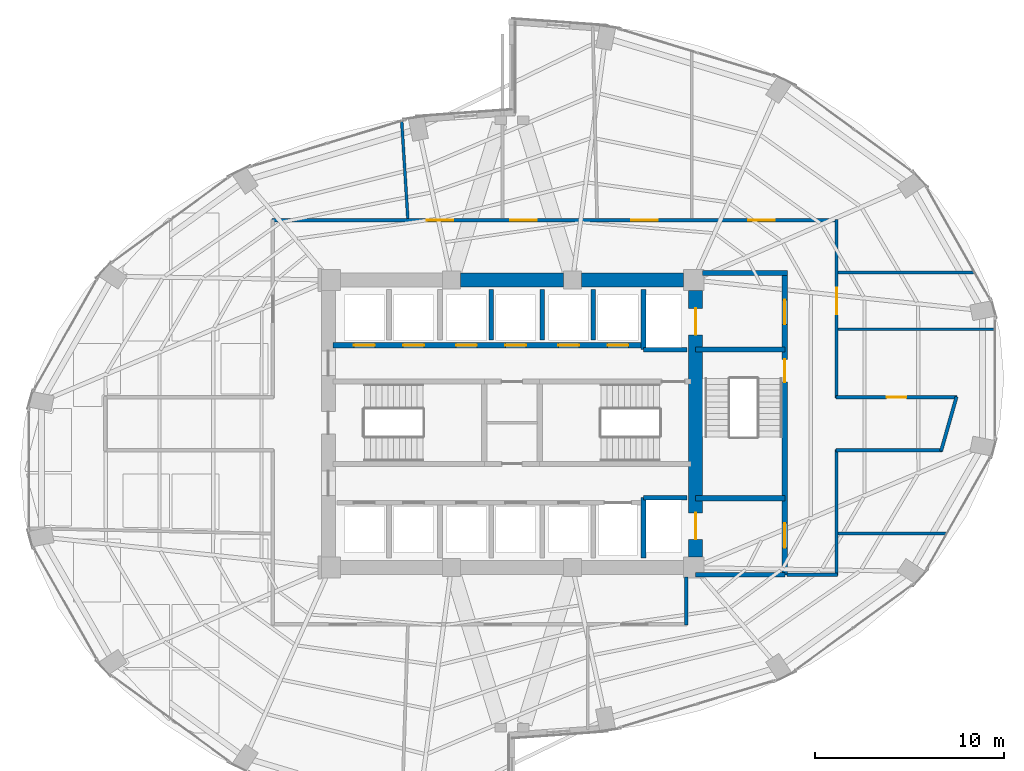
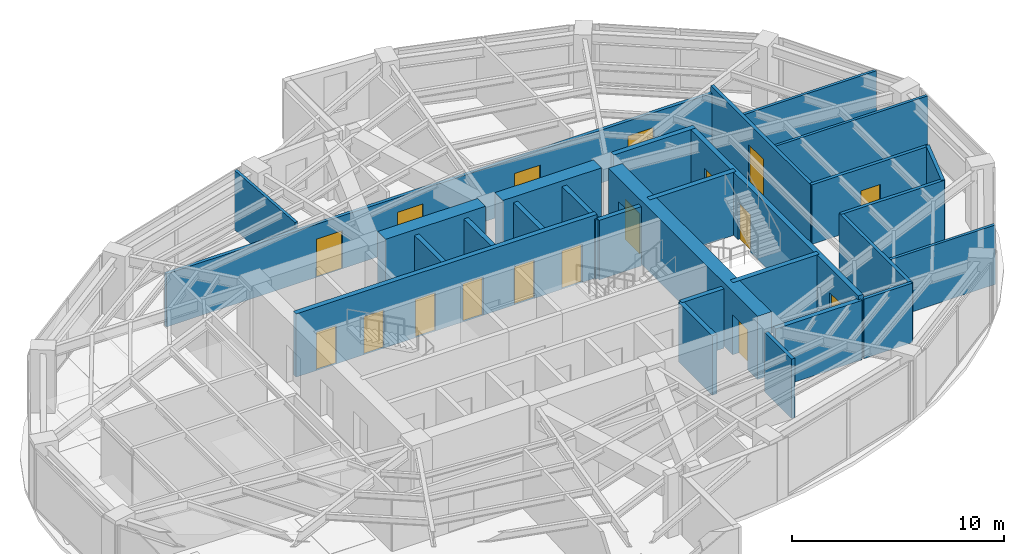
# One storey, part 20 of 23: 28 walls, 17 doors, 17 openings.
"""IFC4 building model written with IfcOpenShell, lengths in metres."""

from ifc_helpers import new_model, si_unit, direction, frame, frame_2d, origin, place, context, subcontext, project, spatial, rectangle, extrude, material, layer, layer_set, type_object, element, fill, save


model = new_model("IFC4")

# Units and contexts
model_context = context("Model", 3, precision=1e-05, world=origin(), true_north=direction((0.0, 1.0)))
body_context = subcontext(model_context, "Body", "Model", "MODEL_VIEW")
ifc_project = project(units=[si_unit("LENGTHUNIT", "METRE"), si_unit("AREAUNIT", "SQUARE_METRE"), si_unit("VOLUMEUNIT", "CUBIC_METRE"), si_unit("PLANEANGLEUNIT", "RADIAN"), si_unit("MASSUNIT", "GRAM", prefix="KILO")], contexts=[model_context])

# Site, building, storey
site_placement = place(None, origin())
site = spatial("IfcSite", under=ifc_project, at=site_placement, CompositionType="ELEMENT")
building_placement = place(site_placement, origin())
building = spatial("IfcBuilding", under=site, at=building_placement, Name="Lazwardi Medical Tower", CompositionType="ELEMENT")
storey_placement = place(building_placement, frame((0.0, 0.0, 107.280029296875)))
storey = spatial("IfcBuildingStorey", under=building, at=storey_placement, Name="L27", CompositionType="ELEMENT", Elevation=107.280029296875)

# Wall, openings, doors
ifc_material_1 = material(Name="Fire-rated gypsum board on steel stud", Category="steel")
ifc_layer_1 = layer(ifc_material_1, 0.179931640625)
ifc_layer_set_1 = layer_set([ifc_layer_1], Name="Fire-rated gypsum board on steel stud")
wall_type_1 = type_object("IfcWallType", Name="WL-COR-180", PredefinedType="PARTITIONING", material=ifc_layer_set_1)
wall_1_placement = place(storey_placement, frame((23.31005859375, 38.75, 0.0), z_axis=(0.0, 0.0, 1.0), x_axis=(1.0, 0.0, 0.0)))
wall_1 = element("IfcWall", 1, at=wall_1_placement, inside=storey, type_object=wall_type_1, Name="L27 Corridor partition 4", PredefinedType="PARTITIONING", context=body_context, shape_type="SweptSolid", body=[
    extrude(rectangle(XDim=29.8798828125, YDim=0.179931640625, at=frame_2d((14.93994140625, 0.0))), origin(), (0.0, 0.0, 1.0), 3.052978515625),
])
opening_1_placement = place(wall_1_placement, frame((25.176025390625, 0.0, 0.0)))
opening_1 = element("IfcOpeningElement", 2, at=opening_1_placement, cuts=wall_1, Name="Opening D-L27-012", PredefinedType="OPENING", context=body_context, shape_type="SweptSolid", body=[
    extrude(rectangle(XDim=1.39990234375, YDim=2.199951171875, at=frame_2d((0.699951171875, 1.10009765625))), frame((0.0, 0.099853515625, 0.0), z_axis=(0.0, -1.0, 0.0), x_axis=(1.0, 0.0, 0.0)), (0.0, 0.0, 1.0), 0.199951171875),
])
opening_2_placement = place(wall_1_placement, frame((18.989013671875, 0.0, 0.0)))
opening_2 = element("IfcOpeningElement", 3, at=opening_2_placement, cuts=wall_1, Name="Opening D-L27-013", PredefinedType="OPENING", context=body_context, shape_type="SweptSolid", body=[
    extrude(rectangle(XDim=1.39990234375, YDim=2.199951171875, at=frame_2d((0.699951171875, 1.10009765625))), frame((0.0, 0.099853515625, 0.0), z_axis=(0.0, -1.0, 0.0), x_axis=(1.0, 0.0, 0.0)), (0.0, 0.0, 1.0), 0.199951171875),
])
opening_3_placement = place(wall_1_placement, frame((12.589111328125, 0.0, 0.0)))
opening_3 = element("IfcOpeningElement", 4, at=opening_3_placement, cuts=wall_1, Name="Opening D-L27-014", PredefinedType="OPENING", context=body_context, shape_type="SweptSolid", body=[
    extrude(rectangle(XDim=1.39990234375, YDim=2.199951171875, at=frame_2d((0.699951171875, 1.10009765625))), frame((0.0, 0.099853515625, 0.0), z_axis=(0.0, -1.0, 0.0), x_axis=(1.0, 0.0, 0.0)), (0.0, 0.0, 1.0), 0.199951171875),
])
opening_4_placement = place(wall_1_placement, frame((8.1875, 0.0, 0.0)))
opening_4 = element("IfcOpeningElement", 5, at=opening_4_placement, cuts=wall_1, Name="Opening D-L27-015", PredefinedType="OPENING", context=body_context, shape_type="SweptSolid", body=[
    extrude(rectangle(XDim=1.39990234375, YDim=2.199951171875, at=frame_2d((0.699951171875, 1.10009765625))), frame((0.0, 0.099853515625, 0.0), z_axis=(0.0, -1.0, 0.0), x_axis=(1.0, 0.0, 0.0)), (0.0, 0.0, 1.0), 0.199951171875),
])
ifc_material_2 = material(Name="Anti-microbial laminate hospital leaf")
door_type_1 = type_object("IfcDoorType", Name="DR-BED-1400", OperationType="NOTDEFINED", PredefinedType="DOOR", material=ifc_material_2)
door_1_placement = place(opening_1_placement, origin())
door_1 = element("IfcDoor", 6, at=door_1_placement, inside=storey, type_object=door_type_1, Name="L27 Patient Day Lounge Door 06", OperationType="SINGLE_SWING_LEFT", OverallHeight=2.199951171875, OverallWidth=1.39990234375, PredefinedType="DOOR", context=body_context, shape_type="SweptSolid", body=[
    extrude(rectangle(XDim=1.39990234375, YDim=2.199951171875, at=frame_2d((0.699951171875, 1.10009765625))), frame((0.0, 0.02490234375, 0.0), z_axis=(0.0, -1.0, 0.0), x_axis=(1.0, 0.0, 0.0)), (0.0, 0.0, 1.0), 0.050048828125),
])
fill(opening_1, door_1)
door_2_placement = place(opening_2_placement, origin())
door_2 = element("IfcDoor", 7, at=door_2_placement, inside=storey, type_object=door_type_1, Name="L27 Patient Day Lounge Door 07", OperationType="SINGLE_SWING_RIGHT", OverallHeight=2.199951171875, OverallWidth=1.39990234375, PredefinedType="DOOR", context=body_context, shape_type="SweptSolid", body=[
    extrude(rectangle(XDim=1.39990234375, YDim=2.199951171875, at=frame_2d((0.699951171875, 1.10009765625))), frame((0.0, 0.02490234375, 0.0), z_axis=(0.0, -1.0, 0.0), x_axis=(1.0, 0.0, 0.0)), (0.0, 0.0, 1.0), 0.050048828125),
])
fill(opening_2, door_2)
door_3_placement = place(opening_3_placement, origin())
door_3 = element("IfcDoor", 8, at=door_3_placement, inside=storey, type_object=door_type_1, Name="L27 Patient Day Lounge Door 08", OperationType="SINGLE_SWING_LEFT", OverallHeight=2.199951171875, OverallWidth=1.39990234375, PredefinedType="DOOR", context=body_context, shape_type="SweptSolid", body=[
    extrude(rectangle(XDim=1.39990234375, YDim=2.199951171875, at=frame_2d((0.699951171875, 1.10009765625))), frame((0.0, 0.02490234375, 0.0), z_axis=(0.0, -1.0, 0.0), x_axis=(1.0, 0.0, 0.0)), (0.0, 0.0, 1.0), 0.050048828125),
])
fill(opening_3, door_3)
door_4_placement = place(opening_4_placement, origin())
door_4 = element("IfcDoor", 9, at=door_4_placement, inside=storey, type_object=door_type_1, Name="L27 Patient Day Lounge Door 09", OperationType="SINGLE_SWING_RIGHT", OverallHeight=2.199951171875, OverallWidth=1.39990234375, PredefinedType="DOOR", context=body_context, shape_type="SweptSolid", body=[
    extrude(rectangle(XDim=1.39990234375, YDim=2.199951171875, at=frame_2d((0.699951171875, 1.10009765625))), frame((0.0, 0.02490234375, 0.0), z_axis=(0.0, -1.0, 0.0), x_axis=(1.0, 0.0, 0.0)), (0.0, 0.0, 1.0), 0.050048828125),
])
fill(opening_4, door_4)

# Wall, opening, door
wall_2_placement = place(storey_placement, frame((53.14990234375, 38.7900390625, 0.0), z_axis=(0.0, 0.0, 1.0), x_axis=(0.0, -1.0, 0.0)))
wall_2 = element("IfcWall", 10, at=wall_2_placement, inside=storey, type_object=wall_type_1, Name="L27 Corridor partition 5", PredefinedType="PARTITIONING", context=body_context, shape_type="SweptSolid", body=[
    extrude(rectangle(XDim=9.429931640625, YDim=0.179931640625, at=frame_2d((4.71484375, 0.0))), origin(), (0.0, 0.0, 1.0), 3.427978515625),
])
opening_5_placement = place(wall_2_placement, frame((3.590087890625, 0.0, 0.0)))
opening_5 = element("IfcOpeningElement", 11, at=opening_5_placement, cuts=wall_2, Name="Opening D-L27-011", PredefinedType="OPENING", context=body_context, shape_type="SweptSolid", body=[
    extrude(rectangle(XDim=1.39990234375, YDim=2.199951171875, at=frame_2d((0.699951171875, 1.10009765625))), frame((0.0, 0.099853515625, 0.0), z_axis=(0.0, -1.0, 0.0), x_axis=(1.0, 0.0, 0.0)), (0.0, 0.0, 1.0), 0.199951171875),
])
door_5_placement = place(opening_5_placement, origin())
door_5 = element("IfcDoor", 12, at=door_5_placement, inside=storey, type_object=door_type_1, Name="L27 Patient Day Lounge Door 05", OperationType="SINGLE_SWING_RIGHT", OverallHeight=2.199951171875, OverallWidth=1.39990234375, PredefinedType="DOOR", context=body_context, shape_type="SweptSolid", body=[
    extrude(rectangle(XDim=1.39990234375, YDim=2.199951171875, at=frame_2d((0.699951171875, 1.10009765625))), frame((0.0, 0.02490234375, 0.0), z_axis=(0.0, -1.0, 0.0), x_axis=(1.0, 0.0, 0.0)), (0.0, 0.0, 1.0), 0.050048828125),
])
fill(opening_5, door_5)

wall_3_placement = place(storey_placement, frame((53.110107421875, 29.39990234375, 0.0), z_axis=(0.0, 0.0, 1.0), x_axis=(1.0, 0.0, 0.0)))
wall_3 = element("IfcWall", 13, at=wall_3_placement, inside=storey, type_object=wall_type_1, Name="L27 Corridor partition 6", PredefinedType="PARTITIONING", context=body_context, shape_type="SweptSolid", body=[
    extrude(rectangle(XDim=6.41259765625, YDim=0.179931640625, at=frame_2d((3.206298828125, 0.0))), origin(), (0.0, 0.0, 1.0), 3.427978515625),
])
opening_6_placement = place(wall_3_placement, frame((2.681396484375, 0.0, 0.0)))
opening_6 = element("IfcOpeningElement", 14, at=opening_6_placement, cuts=wall_3, Name="Opening D-L27-010", PredefinedType="OPENING", context=body_context, shape_type="SweptSolid", body=[
    extrude(rectangle(XDim=1.050048828125, YDim=2.14990234375, at=frame_2d((0.52490234375, 1.074951171875))), frame((0.0, 0.099853515625, 0.0), z_axis=(0.0, -1.0, 0.0), x_axis=(1.0, 0.0, 0.0)), (0.0, 0.0, 1.0), 0.199951171875),
])
door_type_2 = type_object("IfcDoorType", Name="DR-CLN-1050", OperationType="NOTDEFINED", PredefinedType="DOOR", material=ifc_material_2)
door_6_placement = place(opening_6_placement, origin())
door_6 = element("IfcDoor", 15, at=door_6_placement, inside=storey, type_object=door_type_2, Name="L27 Outpatient Clinic Door 04", OperationType="SINGLE_SWING_LEFT", OverallHeight=2.14990234375, OverallWidth=1.050048828125, PredefinedType="DOOR", context=body_context, shape_type="SweptSolid", body=[
    extrude(rectangle(XDim=1.050048828125, YDim=2.14990234375, at=frame_2d((0.52490234375, 1.074951171875))), frame((0.0, 0.02490234375, 0.0), z_axis=(0.0, -1.0, 0.0), x_axis=(1.0, 0.0, 0.0)), (0.0, 0.0, 1.0), 0.050048828125),
])
fill(opening_6, door_6)

# Walls
wall_4_placement = place(storey_placement, frame((59.49365234375, 29.4384765625, 0.0), z_axis=(0.0, 0.0, 1.0), x_axis=(-0.273222154729, -0.961950962453, 0.0)))
element("IfcWall", 16, at=wall_4_placement, inside=storey, type_object=wall_type_1, Name="L27 Corridor partition 7", PredefinedType="PARTITIONING", context=body_context, shape_type="SweptSolid", body=[
    extrude(rectangle(XDim=2.99072265625, YDim=0.179931640625, at=frame_2d((1.495361328125, 0.0))), origin(), (0.0, 0.0, 1.0), 3.427978515625),
])
wall_5_placement = place(storey_placement, frame((58.727294921875, 26.60009765625, 0.0), z_axis=(0.0, 0.0, 1.0), x_axis=(-1.0, 0.0, 0.0)))
element("IfcWall", 17, at=wall_5_placement, inside=storey, type_object=wall_type_1, Name="L27 Corridor partition 8", PredefinedType="PARTITIONING", context=body_context, shape_type="SweptSolid", body=[
    extrude(rectangle(XDim=5.6171875, YDim=0.179931640625, at=frame_2d((2.80859375, 0.0))), origin(), (0.0, 0.0, 1.0), 3.427978515625),
])
wall_6_placement = place(storey_placement, frame((53.14990234375, 26.639892578125, 0.0), z_axis=(0.0, 0.0, 1.0), x_axis=(0.0, -1.0, 0.0)))
element("IfcWall", 18, at=wall_6_placement, inside=storey, type_object=wall_type_1, Name="L27 Corridor partition 9", PredefinedType="PARTITIONING", context=body_context, shape_type="SweptSolid", body=[
    extrude(rectangle(XDim=6.659912109375, YDim=0.179931640625, at=frame_2d((3.330078125, 0.0))), origin(), (0.0, 0.0, 1.0), 3.427978515625),
])
wall_7_placement = place(storey_placement, frame((53.18994140625, 20.02001953125, 0.0), z_axis=(0.0, 0.0, 1.0), x_axis=(-1.0, 0.0, 0.0)))
element("IfcWall", 19, at=wall_7_placement, inside=storey, type_object=wall_type_1, Name="L27 Corridor partition 10", PredefinedType="PARTITIONING", context=body_context, shape_type="SweptSolid", body=[
    extrude(rectangle(XDim=2.64990234375, YDim=0.179931640625, at=frame_2d((1.324951171875, 0.0))), origin(), (0.0, 0.0, 1.0), 3.427978515625),
])
wall_8_placement = place(storey_placement, frame((45.199951171875, 19.909912109375, 0.0), z_axis=(0.0, 0.0, 1.0), x_axis=(0.0, -1.0, 0.0)))
element("IfcWall", 20, at=wall_8_placement, inside=storey, type_object=wall_type_1, Name="L27 Corridor partition 13", PredefinedType="PARTITIONING", context=body_context, shape_type="SweptSolid", body=[
    extrude(rectangle(XDim=2.5498046875, YDim=0.179931640625, at=frame_2d((1.27490234375, 0.0))), origin(), (0.0, 0.0, 1.0), 3.427978515625),
])

# Wall, openings, doors
ifc_material_3 = material(Name="Concrete C70/85", Category="concrete")
ifc_layer_2 = layer(ifc_material_3, 0.75)
ifc_layer_set_2 = layer_set([ifc_layer_2], Name="Concrete C70/85")
wall_type_2 = type_object("IfcWallType", Name="WL-CORE-750", PredefinedType="SHEAR", material=ifc_layer_set_2)
wall_9_placement = place(storey_placement, frame((45.699951171875, 20.949951171875, 0.0), z_axis=(0.0, 0.0, 1.0), x_axis=(0.0, 1.0, 0.0)))
wall_9 = element("IfcWall", 21, at=wall_9_placement, inside=storey, type_object=wall_type_2, Name="Core wall CW-S2 east L27", PredefinedType="SHEAR", context=body_context, shape_type="SweptSolid", body=[
    extrude(rectangle(XDim=14.10009765625, YDim=0.75, at=frame_2d((7.050048828125, 0.0))), origin(), (0.0, 0.0, 1.0), 3.64794921875),
])
opening_7_placement = place(wall_9_placement, frame((11.75, 0.0, 0.0)))
opening_7 = element("IfcOpeningElement", 22, at=opening_7_placement, cuts=wall_9, Name="Opening LD-L27-001", PredefinedType="OPENING", context=body_context, shape_type="SweptSolid", body=[
    extrude(rectangle(XDim=1.39990234375, YDim=2.300048828125, at=frame_2d((0.699951171875, 1.14990234375))), frame((0.0, 0.385009765625, 0.0), z_axis=(0.0, -1.0, 0.0), x_axis=(1.0, 0.0, 0.0)), (0.0, 0.0, 1.0), 0.77001953125),
])
opening_8_placement = place(wall_9_placement, frame((0.949951171875, 0.0, 0.0)))
opening_8 = element("IfcOpeningElement", 23, at=opening_8_placement, cuts=wall_9, Name="Opening LD-L27-002", PredefinedType="OPENING", context=body_context, shape_type="SweptSolid", body=[
    extrude(rectangle(XDim=1.39990234375, YDim=2.300048828125, at=frame_2d((0.699951171875, 1.14990234375))), frame((0.0, 0.385009765625, 0.0), z_axis=(0.0, -1.0, 0.0), x_axis=(1.0, 0.0, 0.0)), (0.0, 0.0, 1.0), 0.77001953125),
])
ifc_material_4 = material(Name="Brushed stainless steel bed-lift landing door", Category="steel")
door_type_3 = type_object("IfcDoorType", Name="DR-LFT-1400", OperationType="NOTDEFINED", PredefinedType="DOOR", material=ifc_material_4)
door_7_placement = place(opening_7_placement, origin())
door_7 = element("IfcDoor", 24, at=door_7_placement, inside=storey, type_object=door_type_3, Name="L27 Lift Landing Door FL-01", OperationType="SLIDING_TO_LEFT", OverallHeight=2.300048828125, OverallWidth=1.39990234375, PredefinedType="DOOR", context=body_context, shape_type="SweptSolid", body=[
    extrude(rectangle(XDim=1.39990234375, YDim=2.300048828125, at=frame_2d((0.699951171875, 1.14990234375))), frame((0.0, 0.02490234375, 0.0), z_axis=(0.0, -1.0, 0.0), x_axis=(1.0, 0.0, 0.0)), (0.0, 0.0, 1.0), 0.050048828125),
])
fill(opening_7, door_7)
door_8_placement = place(opening_8_placement, origin())
door_8 = element("IfcDoor", 25, at=door_8_placement, inside=storey, type_object=door_type_3, Name="L27 Lift Landing Door FL-02", OperationType="SLIDING_TO_LEFT", OverallHeight=2.300048828125, OverallWidth=1.39990234375, PredefinedType="DOOR", context=body_context, shape_type="SweptSolid", body=[
    extrude(rectangle(XDim=1.39990234375, YDim=2.300048828125, at=frame_2d((0.699951171875, 1.14990234375))), frame((0.0, 0.02490234375, 0.0), z_axis=(0.0, -1.0, 0.0), x_axis=(1.0, 0.0, 0.0)), (0.0, 0.0, 1.0), 0.050048828125),
])
fill(opening_8, door_8)

# Walls
wall_10_placement = place(storey_placement, frame((33.27490234375, 35.60009765625, 0.0), z_axis=(0.0, 0.0, 1.0), x_axis=(1.0, 0.0, 0.0)))
element("IfcWall", 26, at=wall_10_placement, inside=storey, type_object=wall_type_2, Name="Core wall CW-S2 N2 L27", PredefinedType="SHEAR", context=body_context, shape_type="SweptSolid", body=[
    extrude(rectangle(XDim=5.4501953125, YDim=0.75, at=frame_2d((2.72509765625, 0.0))), origin(), (0.0, 0.0, 1.0), 3.64794921875),
])
wall_11_placement = place(storey_placement, frame((39.675048828125, 35.60009765625, 0.0), z_axis=(0.0, 0.0, 1.0), x_axis=(1.0, 0.0, 0.0)))
element("IfcWall", 27, at=wall_11_placement, inside=storey, type_object=wall_type_2, Name="Core wall CW-S2 N3 L27", PredefinedType="SHEAR", context=body_context, shape_type="SweptSolid", body=[
    extrude(rectangle(XDim=5.375, YDim=0.75, at=frame_2d((2.6875, 0.0))), origin(), (0.0, 0.0, 1.0), 3.64794921875),
])
ifc_material_5 = material(Name="Autoclaved aerated concrete blockwork", Category="masonry")
ifc_layer_3 = layer(ifc_material_5, 0.25)
ifc_layer_set_3 = layer_set([ifc_layer_3], Name="Autoclaved aerated concrete blockwork")
wall_type_3 = type_object("IfcWallType", Name="WL-SHAFT-250", PredefinedType="SOLIDWALL", material=ifc_layer_set_3)
wall_12_placement = place(storey_placement, frame((42.949951171875, 31.919921875, 0.0), z_axis=(0.0, 0.0, 1.0), x_axis=(0.0, 1.0, 0.0)))
element("IfcWall", 28, at=wall_12_placement, inside=storey, type_object=wall_type_3, Name="L27 FL-01 West shaft wall", PredefinedType="SOLIDWALL", context=body_context, shape_type="SweptSolid", body=[
    extrude(rectangle(XDim=3.18017578125, YDim=0.25, at=frame_2d((1.590087890625, 0.0))), origin(), (0.0, 0.0, 1.0), 3.427978515625),
])
wall_13_placement = place(storey_placement, frame((42.949951171875, 31.919921875, 0.0), z_axis=(0.0, 0.0, 1.0), x_axis=(1.0, 0.0, 0.0)))
element("IfcWall", 29, at=wall_13_placement, inside=storey, type_object=wall_type_3, Name="L27 FL-01 South shaft wall", PredefinedType="SOLIDWALL", context=body_context, shape_type="SweptSolid", body=[
    extrude(rectangle(XDim=2.300048828125, YDim=0.25, at=frame_2d((1.14990234375, 0.0))), origin(), (0.0, 0.0, 1.0), 3.427978515625),
])
wall_14_placement = place(storey_placement, frame((42.949951171875, 20.89990234375, 0.0), z_axis=(0.0, 0.0, 1.0), x_axis=(0.0, 1.0, 0.0)))
element("IfcWall", 30, at=wall_14_placement, inside=storey, type_object=wall_type_3, Name="L27 FL-02 West shaft wall", PredefinedType="SOLIDWALL", context=body_context, shape_type="SweptSolid", body=[
    extrude(rectangle(XDim=3.2001953125, YDim=0.25, at=frame_2d((1.60009765625, 0.0))), origin(), (0.0, 0.0, 1.0), 3.427978515625),
])
wall_15_placement = place(storey_placement, frame((42.949951171875, 24.10009765625, 0.0), z_axis=(0.0, 0.0, 1.0), x_axis=(1.0, 0.0, 0.0)))
element("IfcWall", 31, at=wall_15_placement, inside=storey, type_object=wall_type_3, Name="L27 FL-02 North shaft wall", PredefinedType="SOLIDWALL", context=body_context, shape_type="SweptSolid", body=[
    extrude(rectangle(XDim=2.300048828125, YDim=0.25, at=frame_2d((1.14990234375, 0.0))), origin(), (0.0, 0.0, 1.0), 3.427978515625),
])
for number, where, z_axis, x_axis, name in (
    (32, (34.89990234375, 32.419921875, 0.0), (0.0, 0.0, 1.0), (0.0, 1.0, 0.0), "L27 North hoistway divider"),
    (33, (37.60009765625, 32.419921875, 0.0), (0.0, 0.0, 1.0), (0.0, 1.0, 0.0), "L27 North hoistway divider"),
    (34, (40.300048828125, 32.419921875, 0.0), (0.0, 0.0, 1.0), (0.0, 1.0, 0.0), "L27 North hoistway divider"),
):
    element("IfcWall", number, at=place(storey_placement, frame(where, z_axis=z_axis, x_axis=x_axis)), inside=storey, type_object=wall_type_3, Name=name, PredefinedType="SOLIDWALL", context=body_context, shape_type="SweptSolid", body=[
        extrude(rectangle(XDim=2.68017578125, YDim=0.25, at=frame_2d((1.340087890625, 0.0))), origin(), (0.0, 0.0, 1.0), 3.427978515625),
    ])
wall_16_placement = place(storey_placement, frame((45.699951171875, 20.02001953125, 0.0), z_axis=(0.0, 0.0, 1.0), x_axis=(1.0, 0.0, 0.0)))
element("IfcWall", 35, at=wall_16_placement, inside=storey, type_object=wall_type_3, Name="L27 FFL-S South wall", PredefinedType="SOLIDWALL", context=body_context, shape_type="SweptSolid", body=[
    extrude(rectangle(XDim=4.715087890625, YDim=0.25, at=frame_2d((2.357421875, 0.0))), origin(), (0.0, 0.0, 1.0), 3.427978515625),
])

# Wall, openings, doors
ifc_material_6 = material(Name="Concrete C50/60", Category="concrete")
ifc_layer_4 = layer(ifc_material_6, 0.27001953125)
ifc_layer_set_4 = layer_set([ifc_layer_4], Name="Concrete C50/60")
wall_type_4 = type_object("IfcWallType", Name="WL-STR-250", PredefinedType="SHEAR", material=ifc_layer_set_4)
wall_17_placement = place(storey_placement, frame((26.550048828125, 32.14990234375, 0.0), z_axis=(0.0, 0.0, 1.0), x_axis=(1.0, 0.0, 0.0)))
wall_17 = element("IfcWall", 36, at=wall_17_placement, inside=storey, type_object=wall_type_4, Name="L27 North lift bank shear wall SW-S1", PredefinedType="SHEAR", context=body_context, shape_type="SweptSolid", body=[
    extrude(rectangle(XDim=16.39990234375, YDim=0.27001953125, at=frame_2d((8.199951171875, 0.0))), origin(), (0.0, 0.0, 1.0), 3.64794921875),
])
opening_9_placement = place(wall_17_placement, frame((1.10009765625, 0.0, 0.0)))
opening_9 = element("IfcOpeningElement", 37, at=opening_9_placement, cuts=wall_17, Name="Opening LD-L27-004", PredefinedType="OPENING", context=body_context, shape_type="SweptSolid", body=[
    extrude(rectangle(XDim=1.10009765625, YDim=2.199951171875, at=frame_2d((0.550048828125, 1.10009765625))), frame((0.0, 0.14501953125, 0.0), z_axis=(0.0, -1.0, 0.0), x_axis=(1.0, 0.0, 0.0)), (0.0, 0.0, 1.0), 0.2900390625),
])
opening_10_placement = place(wall_17_placement, frame((3.699951171875, 0.0, 0.0)))
opening_10 = element("IfcOpeningElement", 38, at=opening_10_placement, cuts=wall_17, Name="Opening LD-L27-005", PredefinedType="OPENING", context=body_context, shape_type="SweptSolid", body=[
    extrude(rectangle(XDim=1.10009765625, YDim=2.199951171875, at=frame_2d((0.550048828125, 1.10009765625))), frame((0.0, 0.14501953125, 0.0), z_axis=(0.0, -1.0, 0.0), x_axis=(1.0, 0.0, 0.0)), (0.0, 0.0, 1.0), 0.2900390625),
])
opening_11_placement = place(wall_17_placement, frame((6.5, 0.0, 0.0)))
opening_11 = element("IfcOpeningElement", 39, at=opening_11_placement, cuts=wall_17, Name="Opening LD-L27-008", PredefinedType="OPENING", context=body_context, shape_type="SweptSolid", body=[
    extrude(rectangle(XDim=1.10009765625, YDim=2.199951171875, at=frame_2d((0.550048828125, 1.10009765625))), frame((0.0, 0.14501953125, 0.0), z_axis=(0.0, -1.0, 0.0), x_axis=(1.0, 0.0, 0.0)), (0.0, 0.0, 1.0), 0.2900390625),
])
opening_12_placement = place(wall_17_placement, frame((9.10009765625, 0.0, 0.0)))
opening_12 = element("IfcOpeningElement", 40, at=opening_12_placement, cuts=wall_17, Name="Opening LD-L27-009", PredefinedType="OPENING", context=body_context, shape_type="SweptSolid", body=[
    extrude(rectangle(XDim=1.10009765625, YDim=2.199951171875, at=frame_2d((0.550048828125, 1.10009765625))), frame((0.0, 0.14501953125, 0.0), z_axis=(0.0, -1.0, 0.0), x_axis=(1.0, 0.0, 0.0)), (0.0, 0.0, 1.0), 0.2900390625),
])
opening_13_placement = place(wall_17_placement, frame((11.89990234375, 0.0, 0.0)))
opening_13 = element("IfcOpeningElement", 41, at=opening_13_placement, cuts=wall_17, Name="Opening LD-L27-012", PredefinedType="OPENING", context=body_context, shape_type="SweptSolid", body=[
    extrude(rectangle(XDim=1.10009765625, YDim=2.199951171875, at=frame_2d((0.550048828125, 1.10009765625))), frame((0.0, 0.14501953125, 0.0), z_axis=(0.0, -1.0, 0.0), x_axis=(1.0, 0.0, 0.0)), (0.0, 0.0, 1.0), 0.2900390625),
])
opening_14_placement = place(wall_17_placement, frame((14.5, 0.0, 0.0)))
opening_14 = element("IfcOpeningElement", 42, at=opening_14_placement, cuts=wall_17, Name="Opening LD-L27-013", PredefinedType="OPENING", context=body_context, shape_type="SweptSolid", body=[
    extrude(rectangle(XDim=1.10009765625, YDim=2.199951171875, at=frame_2d((0.550048828125, 1.10009765625))), frame((0.0, 0.14501953125, 0.0), z_axis=(0.0, -1.0, 0.0), x_axis=(1.0, 0.0, 0.0)), (0.0, 0.0, 1.0), 0.2900390625),
])
ifc_material_7 = material(Name="Brushed bronze stainless steel landing door", Category="steel")
door_type_4 = type_object("IfcDoorType", Name="DR-LFT-1100", OperationType="NOTDEFINED", PredefinedType="DOOR", material=ifc_material_7)
door_9_placement = place(opening_9_placement, origin())
door_9 = element("IfcDoor", 43, at=door_9_placement, inside=storey, type_object=door_type_4, Name="L27 Lift Landing Door PL-01", OperationType="SLIDING_TO_LEFT", OverallHeight=2.199951171875, OverallWidth=1.10009765625, PredefinedType="DOOR", context=body_context, shape_type="SweptSolid", body=[
    extrude(rectangle(XDim=1.10009765625, YDim=2.199951171875, at=frame_2d((0.550048828125, 1.10009765625))), frame((0.0, 0.02490234375, 0.0), z_axis=(0.0, -1.0, 0.0), x_axis=(1.0, 0.0, 0.0)), (0.0, 0.0, 1.0), 0.050048828125),
])
fill(opening_9, door_9)
door_10_placement = place(opening_10_placement, origin())
door_10 = element("IfcDoor", 44, at=door_10_placement, inside=storey, type_object=door_type_4, Name="L27 Lift Landing Door PL-02", OperationType="SLIDING_TO_LEFT", OverallHeight=2.199951171875, OverallWidth=1.10009765625, PredefinedType="DOOR", context=body_context, shape_type="SweptSolid", body=[
    extrude(rectangle(XDim=1.10009765625, YDim=2.199951171875, at=frame_2d((0.550048828125, 1.10009765625))), frame((0.0, 0.02490234375, 0.0), z_axis=(0.0, -1.0, 0.0), x_axis=(1.0, 0.0, 0.0)), (0.0, 0.0, 1.0), 0.050048828125),
])
fill(opening_10, door_10)
door_11_placement = place(opening_11_placement, origin())
door_11 = element("IfcDoor", 45, at=door_11_placement, inside=storey, type_object=door_type_4, Name="L27 Lift Landing Door PL-05", OperationType="SLIDING_TO_LEFT", OverallHeight=2.199951171875, OverallWidth=1.10009765625, PredefinedType="DOOR", context=body_context, shape_type="SweptSolid", body=[
    extrude(rectangle(XDim=1.10009765625, YDim=2.199951171875, at=frame_2d((0.550048828125, 1.10009765625))), frame((0.0, 0.02490234375, 0.0), z_axis=(0.0, -1.0, 0.0), x_axis=(1.0, 0.0, 0.0)), (0.0, 0.0, 1.0), 0.050048828125),
])
fill(opening_11, door_11)
door_12_placement = place(opening_12_placement, origin())
door_12 = element("IfcDoor", 46, at=door_12_placement, inside=storey, type_object=door_type_4, Name="L27 Lift Landing Door PL-06", OperationType="SLIDING_TO_LEFT", OverallHeight=2.199951171875, OverallWidth=1.10009765625, PredefinedType="DOOR", context=body_context, shape_type="SweptSolid", body=[
    extrude(rectangle(XDim=1.10009765625, YDim=2.199951171875, at=frame_2d((0.550048828125, 1.10009765625))), frame((0.0, 0.02490234375, 0.0), z_axis=(0.0, -1.0, 0.0), x_axis=(1.0, 0.0, 0.0)), (0.0, 0.0, 1.0), 0.050048828125),
])
fill(opening_12, door_12)
door_13_placement = place(opening_13_placement, origin())
door_13 = element("IfcDoor", 47, at=door_13_placement, inside=storey, type_object=door_type_4, Name="L27 Lift Landing Door PL-09", OperationType="SLIDING_TO_LEFT", OverallHeight=2.199951171875, OverallWidth=1.10009765625, PredefinedType="DOOR", context=body_context, shape_type="SweptSolid", body=[
    extrude(rectangle(XDim=1.10009765625, YDim=2.199951171875, at=frame_2d((0.550048828125, 1.10009765625))), frame((0.0, 0.02490234375, 0.0), z_axis=(0.0, -1.0, 0.0), x_axis=(1.0, 0.0, 0.0)), (0.0, 0.0, 1.0), 0.050048828125),
])
fill(opening_13, door_13)
door_14_placement = place(opening_14_placement, origin())
door_14 = element("IfcDoor", 48, at=door_14_placement, inside=storey, type_object=door_type_4, Name="L27 Lift Landing Door PL-10", OperationType="SLIDING_TO_LEFT", OverallHeight=2.199951171875, OverallWidth=1.10009765625, PredefinedType="DOOR", context=body_context, shape_type="SweptSolid", body=[
    extrude(rectangle(XDim=1.10009765625, YDim=2.199951171875, at=frame_2d((0.550048828125, 1.10009765625))), frame((0.0, 0.02490234375, 0.0), z_axis=(0.0, -1.0, 0.0), x_axis=(1.0, 0.0, 0.0)), (0.0, 0.0, 1.0), 0.050048828125),
])
fill(opening_14, door_14)

wall_18_placement = place(storey_placement, frame((50.4150390625, 35.844970703125, 0.0), z_axis=(0.0, 0.0, 1.0), x_axis=(0.0, -1.0, 0.0)))
wall_18 = element("IfcWall", 49, at=wall_18_placement, inside=storey, type_object=wall_type_4, Name="L27 East ST3 & FFL shear wall SW-S1", PredefinedType="SHEAR", context=body_context, shape_type="SweptSolid", body=[
    extrude(rectangle(XDim=15.824951171875, YDim=0.27001953125, at=frame_2d((7.91259765625, 0.0))), origin(), (0.0, 0.0, 1.0), 3.64794921875),
])
opening_15_placement = place(wall_18_placement, frame((4.445068359375, 0.0, 0.0)))
opening_15 = element("IfcOpeningElement", 50, at=opening_15_placement, cuts=wall_18, Name="Opening D-L27-019", PredefinedType="OPENING", context=body_context, shape_type="SweptSolid", body=[
    extrude(rectangle(XDim=1.199951171875, YDim=2.14990234375, at=frame_2d((0.60009765625, 1.074951171875))), frame((0.0, 0.14501953125, 0.0), z_axis=(0.0, -1.0, 0.0), x_axis=(1.0, 0.0, 0.0)), (0.0, 0.0, 1.0), 0.2900390625),
])
opening_16_placement = place(wall_18_placement, frame((1.294921875, 0.0, 0.0)))
opening_16 = element("IfcOpeningElement", 51, at=opening_16_placement, cuts=wall_18, Name="Opening D-L27-003", PredefinedType="OPENING", context=body_context, shape_type="SweptSolid", body=[
    extrude(rectangle(XDim=1.300048828125, YDim=2.199951171875, at=frame_2d((0.64990234375, 1.10009765625))), frame((0.0, 0.14501953125, 0.0), z_axis=(0.0, -1.0, 0.0), x_axis=(1.0, 0.0, 0.0)), (0.0, 0.0, 1.0), 0.2900390625),
])
opening_17_placement = place(wall_18_placement, frame((13.094970703125, 0.0, 0.0)))
opening_17 = element("IfcOpeningElement", 52, at=opening_17_placement, cuts=wall_18, Name="Opening D-L27-004", PredefinedType="OPENING", context=body_context, shape_type="SweptSolid", body=[
    extrude(rectangle(XDim=1.300048828125, YDim=2.199951171875, at=frame_2d((0.64990234375, 1.10009765625))), frame((0.0, 0.14501953125, 0.0), z_axis=(0.0, -1.0, 0.0), x_axis=(1.0, 0.0, 0.0)), (0.0, 0.0, 1.0), 0.2900390625),
])
ifc_material_8 = material(Name="Fire-rated steel leaf and frame", Category="steel")
door_type_5 = type_object("IfcDoorType", Name="DR-FFL-1300", OperationType="NOTDEFINED", PredefinedType="DOOR", material=ifc_material_8)
door_15_placement = place(opening_16_placement, origin())
door_15 = element("IfcDoor", 53, at=door_15_placement, inside=storey, type_object=door_type_5, Name="L27 Fire-Fighting Lobby North Door", OperationType="SINGLE_SWING_RIGHT", OverallHeight=2.199951171875, OverallWidth=1.300048828125, PredefinedType="DOOR", context=body_context, shape_type="SweptSolid", body=[
    extrude(rectangle(XDim=1.300048828125, YDim=2.199951171875, at=frame_2d((0.64990234375, 1.10009765625))), frame((0.0, 0.02490234375, 0.0), z_axis=(0.0, -1.0, 0.0), x_axis=(1.0, 0.0, 0.0)), (0.0, 0.0, 1.0), 0.050048828125),
])
fill(opening_16, door_15)
door_16_placement = place(opening_17_placement, origin())
door_16 = element("IfcDoor", 54, at=door_16_placement, inside=storey, type_object=door_type_5, Name="L27 Fire-Fighting Lobby South Door", OperationType="SINGLE_SWING_LEFT", OverallHeight=2.199951171875, OverallWidth=1.300048828125, PredefinedType="DOOR", context=body_context, shape_type="SweptSolid", body=[
    extrude(rectangle(XDim=1.300048828125, YDim=2.199951171875, at=frame_2d((0.64990234375, 1.10009765625))), frame((0.0, 0.02490234375, 0.0), z_axis=(0.0, -1.0, 0.0), x_axis=(1.0, 0.0, 0.0)), (0.0, 0.0, 1.0), 0.050048828125),
])
fill(opening_17, door_16)
door_type_6 = type_object("IfcDoorType", Name="DR-STR-1200", OperationType="NOTDEFINED", PredefinedType="DOOR", material=ifc_material_8)
door_17_placement = place(opening_15_placement, origin())
door_17 = element("IfcDoor", 55, at=door_17_placement, inside=storey, type_object=door_type_6, Name="L27 Exit Stair ST3 Door", OperationType="SINGLE_SWING_LEFT", OverallHeight=2.14990234375, OverallWidth=1.199951171875, PredefinedType="DOOR", context=body_context, shape_type="SweptSolid", body=[
    extrude(rectangle(XDim=1.199951171875, YDim=2.14990234375, at=frame_2d((0.60009765625, 1.074951171875))), frame((0.0, 0.02490234375, 0.0), z_axis=(0.0, -1.0, 0.0), x_axis=(1.0, 0.0, 0.0)), (0.0, 0.0, 1.0), 0.050048828125),
])
fill(opening_15, door_17)

# Walls
wall_19_placement = place(storey_placement, frame((46.074951171875, 35.97998046875, 0.0), z_axis=(0.0, 0.0, 1.0), x_axis=(1.0, 0.0, 0.0)))
element("IfcWall", 56, at=wall_19_placement, inside=storey, type_object=wall_type_4, Name="L27 FFL-N North shear wall SW-S1", PredefinedType="SHEAR", context=body_context, shape_type="SweptSolid", body=[
    extrude(rectangle(XDim=4.47509765625, YDim=0.27001953125, at=frame_2d((2.237548828125, 0.0))), origin(), (0.0, 0.0, 1.0), 3.64794921875),
])
for number, where, z_axis, x_axis, name in (
    (57, (45.699951171875, 31.93505859375, 0.0), (0.0, 0.0, 1.0), (1.0, 0.0, 0.0), "L27 ST3 North shear shaft wall SW-S1"),
    (58, (45.699951171875, 24.06494140625, 0.0), (0.0, 0.0, 1.0), (1.0, 0.0, 0.0), "L27 ST3 South shear shaft wall SW-S1"),
):
    element("IfcWall", number, at=place(storey_placement, frame(where, z_axis=z_axis, x_axis=x_axis)), inside=storey, type_object=wall_type_4, Name=name, PredefinedType="SHEAR", context=body_context, shape_type="SweptSolid", body=[
        extrude(rectangle(XDim=4.715087890625, YDim=0.27001953125, at=frame_2d((2.357421875, 0.0))), origin(), (0.0, 0.0, 1.0), 3.64794921875),
    ])
ifc_material_9 = material(Name="Acoustic gypsum board partition")
ifc_layer_5 = layer(ifc_material_9, 0.14990234375)
ifc_layer_set_5 = layer_set([ifc_layer_5], Name="Acoustic gypsum board partition")
wall_type_5 = type_object("IfcWallType", Name="WL-WRD-150", PredefinedType="PARTITIONING", material=ifc_layer_set_5)
wall_20_placement = place(storey_placement, frame((53.239990234375, 22.199951171875, 0.0), z_axis=(0.0, 0.0, 1.0), x_axis=(1.0, 0.0, 0.0)))
element("IfcWall", 59, at=wall_20_placement, inside=storey, type_object=wall_type_5, Name="L27 Room partition 2", PredefinedType="PARTITIONING", context=body_context, shape_type="SweptSolid", body=[
    extrude(rectangle(XDim=5.731201171875, YDim=0.14990234375, at=frame_2d((2.86572265625, 0.0))), origin(), (0.0, 0.0, 1.0), 3.427978515625),
])
wall_21_placement = place(storey_placement, frame((53.239990234375, 33.0, 0.0), z_axis=(0.0, 0.0, 1.0), x_axis=(1.0, 0.0, 0.0)))
element("IfcWall", 60, at=wall_21_placement, inside=storey, type_object=wall_type_5, Name="L27 Room partition 3", PredefinedType="PARTITIONING", context=body_context, shape_type="SweptSolid", body=[
    extrude(rectangle(XDim=8.27978515625, YDim=0.14990234375, at=frame_2d((4.139892578125, 0.0))), origin(), (0.0, 0.0, 1.0), 3.427978515625),
])
wall_22_placement = place(storey_placement, frame((53.239990234375, 36.0, 0.0), z_axis=(0.0, 0.0, 1.0), x_axis=(1.0, 0.0, 0.0)))
element("IfcWall", 61, at=wall_22_placement, inside=storey, type_object=wall_type_5, Name="L27 Room partition 4", PredefinedType="PARTITIONING", context=body_context, shape_type="SweptSolid", body=[
    extrude(rectangle(XDim=7.20703125, YDim=0.14990234375, at=frame_2d((3.603515625, 0.0))), origin(), (0.0, 0.0, 1.0), 3.427978515625),
])
wall_23_placement = place(storey_placement, frame((30.495361328125, 38.83984375, 0.0), z_axis=(0.0, 0.0, 1.0), x_axis=(-0.062595600558, 0.998038972581, 0.0)))
element("IfcWall", 62, at=wall_23_placement, inside=storey, type_object=wall_type_5, Name="L27 Room partition 5", PredefinedType="PARTITIONING", context=body_context, shape_type="SweptSolid", body=[
    extrude(rectangle(XDim=5.17578125, YDim=0.14990234375, at=frame_2d((2.587890625, 0.0))), origin(), (0.0, 0.0, 1.0), 3.427978515625),
])

save(model, "model.ifc")
